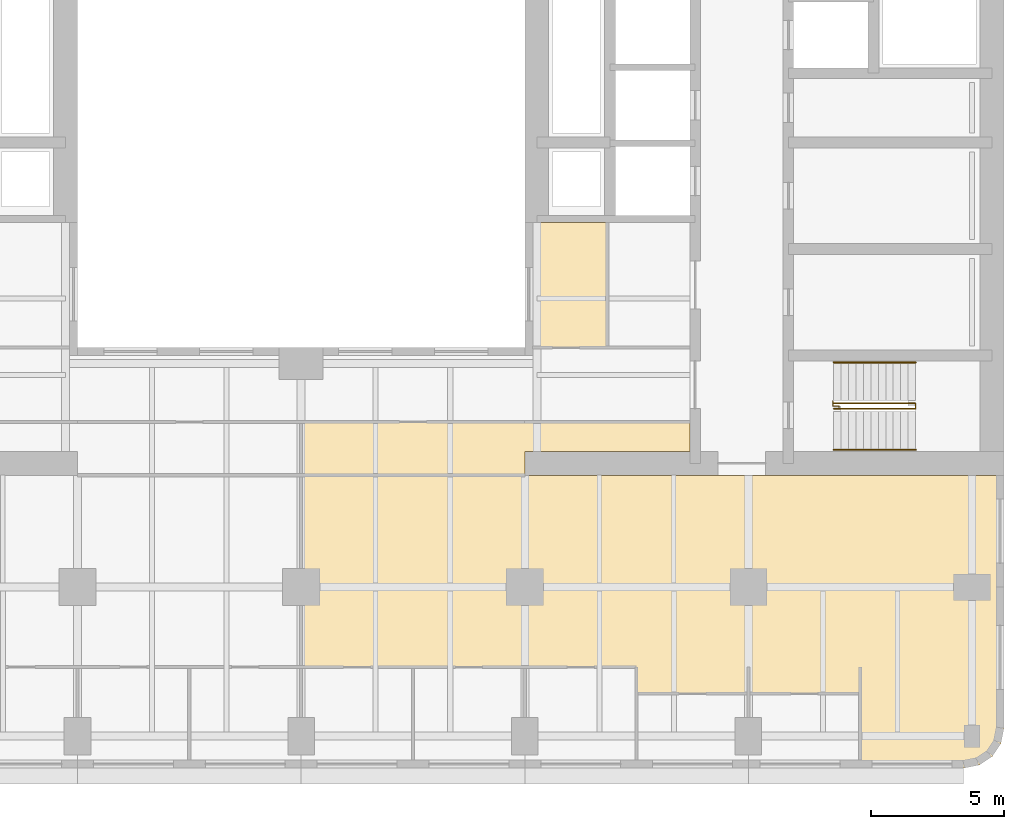
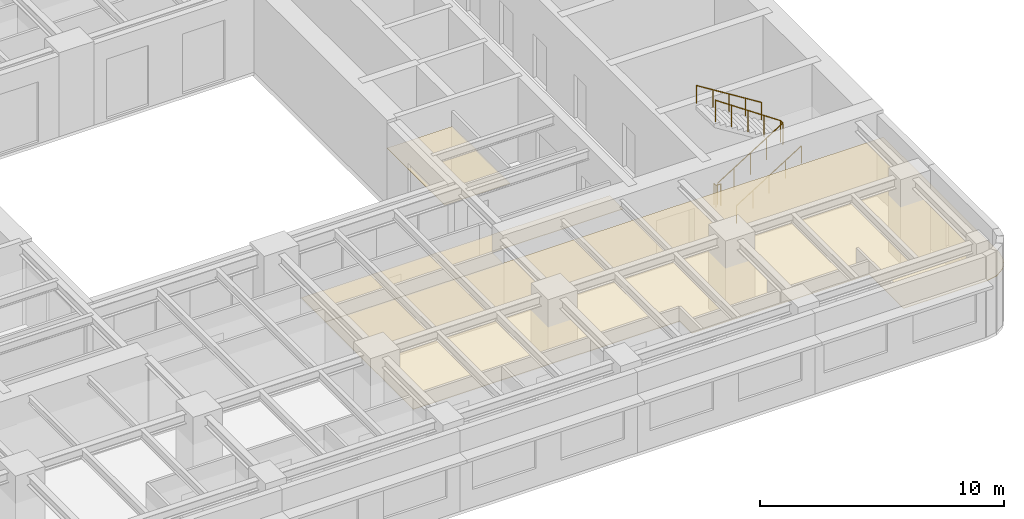
# One storey, part 10 of 11: 4 railings, 3 coverings.
"""IFC4 building model written with IfcOpenShell, lengths in metres."""

from ifc_helpers import new_model, si_unit, direction, frame, origin, origin_2d, place, context, subcontext, project, spatial, polyline, circle, outline, extrude, material, layer, layer_set, type_object, element, save


model = new_model("IFC4")

# Units and contexts
model_context = context("Model", 3, precision=1e-05, world=origin(), true_north=direction((0.0, 1.0)))
body_context = subcontext(model_context, "Body", "Model", "MODEL_VIEW")
ifc_project = project(units=[si_unit("LENGTHUNIT", "METRE"), si_unit("AREAUNIT", "SQUARE_METRE"), si_unit("VOLUMEUNIT", "CUBIC_METRE"), si_unit("PLANEANGLEUNIT", "RADIAN"), si_unit("MASSUNIT", "GRAM", prefix="KILO")], contexts=[model_context])

# Site, building, storey
site_placement = place(None, origin())
site = spatial("IfcSite", under=ifc_project, at=site_placement, CompositionType="ELEMENT")
building_placement = place(site_placement, origin())
building = spatial("IfcBuilding", under=site, at=building_placement, Name="Claustro Exchange Tower", CompositionType="ELEMENT")
storey_placement = place(building_placement, frame((0.0, 0.0, 138.60009765625)))
storey = spatial("IfcBuildingStorey", under=building, at=storey_placement, Name="L31", CompositionType="ELEMENT", Elevation=138.60009765625)

# Coverings
ifc_material_1 = material(Name="Gypsum board ceiling", Category="gypsum board")
ifc_layer = layer(ifc_material_1, 0.02490234375)
ifc_layer_set = layer_set([ifc_layer], Name="Gypsum board ceiling")
covering_type = type_object("IfcCoveringType", Name="CL2 plasterboard ceiling", PredefinedType="CEILING", material=ifc_layer_set)
covering_1_placement = place(storey_placement, frame((0.0, 0.0, 2.7998046875)))
element("IfcCovering", 1, at=covering_1_placement, inside=storey, type_object=covering_type, Name="Ceiling CL2 L31-10", PredefinedType="CEILING", context=body_context, shape_type="SweptSolid", body=[
    extrude(outline(polyline([(51.60009765625, 12.60009765625), (39.800048828125, 12.60009765625), (25.199951171875, 12.60009765625), (25.199951171875, 5.39990234375), (29.39990234375, 5.39990234375), (33.60009765625, 5.39990234375), (37.800048828125, 5.39990234375), (37.800048828125, 4.39990234375), (42.0, 4.39990234375), (46.199951171875, 4.39990234375), (46.199951171875, 1.60009765625), (50.10009765625, 1.60009765625), (50.674072265625, 1.714111328125), (51.16064453125, 2.039306640625), (51.48583984375, 2.52587890625), (51.60009765625, 3.10009765625), (51.60009765625, 12.60009765625)])), origin(), (0.0, 0.0, 1.0), 0.025146484375),
])
covering_2_placement = place(storey_placement, frame((0.0, 0.0, 2.7998046875)))
element("IfcCovering", 2, at=covering_2_placement, inside=storey, type_object=covering_type, Name="Ceiling CL2 L31-12", PredefinedType="CEILING", context=body_context, shape_type="SweptSolid", body=[
    extrude(outline(polyline([(39.800048828125, 13.5), (39.800048828125, 14.60009765625), (33.60009765625, 14.60009765625), (33.60009765625, 14.60009765625), (25.199951171875, 14.60009765625), (25.199951171875, 12.60009765625), (33.60009765625, 12.60009765625), (33.60009765625, 13.5), (39.800048828125, 13.5)])), origin(), (0.0, 0.0, 1.0), 0.025146484375),
])
covering_3_placement = place(storey_placement, frame((0.0, 0.0, 2.7998046875)))
element("IfcCovering", 3, at=covering_3_placement, inside=storey, type_object=covering_type, Name="Ceiling CL2 L31-15", PredefinedType="CEILING", context=body_context, shape_type="SweptSolid", body=[
    extrude(outline(polyline([(36.699951171875, 17.39990234375), (36.699951171875, 22.10009765625), (33.60009765625, 22.10009765625), (33.60009765625, 17.39990234375), (36.699951171875, 17.39990234375)])), origin(), (0.0, 0.0, 1.0), 0.025146484375),
])

# Railings
ifc_material_2 = material(Name="Steel balustrade, painted", Category="steel")
railing_type_1 = type_object("IfcRailingType", Name="GR2 1100 steel stair guard", PredefinedType="GUARDRAIL", material=ifc_material_2)
railing_1_placement = place(storey_placement, frame((45.199951171875, 15.10009765625, 0.1748046875)))
element("IfcRailing", 4, at=railing_1_placement, inside=storey, type_object=railing_type_1, Name="Stair well guard GR2 stair STEA L31", PredefinedType="GUARDRAIL", context=body_context, shape_type="SweptSolid", body=[
    extrude(circle(Radius=0.02392578125, at=origin_2d()), frame((0.0, 0.0, 1.076171875), z_axis=(0.847998304005, 0.0, 0.529998940003), x_axis=(0.0, 1.0, 0.0)), (0.0, 0.0, 1.0), 3.632080078125),
    extrude(circle(Radius=0.02392578125, at=origin_2d()), frame((3.080078125, 0.0, 3.0009765625), z_axis=(0.0, 1.0, 0.0), x_axis=(-1.0, 0.0, 0.0)), (0.0, 0.0, 1.0), 0.199951171875),
    extrude(circle(Radius=0.02392578125, at=origin_2d()), frame((3.080078125, 0.199951171875, 3.0009765625), z_axis=(-0.826221800596, 0.0, 0.563344953133), x_axis=(0.0, -1.0, 0.0)), (0.0, 0.0, 1.0), 3.72802734375),
    extrude(circle(Radius=0.02099609375, at=origin_2d()), origin(), (0.0, 0.0, 1.0), 1.052001953125),
    extrude(circle(Radius=0.02099609375, at=origin_2d()), frame((0.77001953125, 0.0, 0.481201171875)), (0.0, 0.0, 1.0), 1.052001953125),
    extrude(circle(Radius=0.02099609375, at=origin_2d()), frame((1.5400390625, 0.0, 0.96240234375)), (0.0, 0.0, 1.0), 1.052001953125),
    extrude(circle(Radius=0.02099609375, at=origin_2d()), frame((2.31005859375, 0.0, 1.44384765625)), (0.0, 0.0, 1.0), 1.052001953125),
    extrude(circle(Radius=0.02099609375, at=origin_2d()), frame((3.080078125, 0.0, 1.925048828125)), (0.0, 0.0, 1.0), 1.052001953125),
    extrude(circle(Radius=0.02099609375, at=origin_2d()), frame((3.080078125, 0.199951171875, 1.925048828125)), (0.0, 0.0, 1.0), 1.052001953125),
    extrude(circle(Radius=0.02099609375, at=origin_2d()), frame((2.31005859375, 0.199951171875, 2.4501953125)), (0.0, 0.0, 1.0), 1.052001953125),
    extrude(circle(Radius=0.02099609375, at=origin_2d()), frame((1.5400390625, 0.199951171875, 2.97509765625)), (0.0, 0.0, 1.0), 1.052001953125),
    extrude(circle(Radius=0.02099609375, at=origin_2d()), frame((0.77001953125, 0.199951171875, 3.5)), (0.0, 0.0, 1.0), 1.052001953125),
    extrude(circle(Radius=0.02099609375, at=origin_2d()), frame((0.0, 0.199951171875, 4.025146484375)), (0.0, 0.0, 1.0), 1.052001953125),
])
railing_2_placement = place(storey_placement, frame((45.39990234375, 15.169921875, 0.0)))
element("IfcRailing", 5, at=railing_2_placement, inside=storey, type_object=railing_type_1, Name="Stair guard GR2 STEA L31", PredefinedType="GUARDRAIL", context=body_context, shape_type="SweptSolid", body=[
    extrude(circle(Radius=0.02392578125, at=origin_2d()), frame((0.0, 0.0, 1.076171875), z_axis=(0.0, 1.0, 0.0), x_axis=(-1.0, 0.0, 0.0)), (0.0, 0.0, 1.0), 0.030029296875),
    extrude(circle(Radius=0.02392578125, at=origin_2d()), frame((0.0, 0.030029296875, 1.076171875), z_axis=(-1.0, 0.0, 0.0), x_axis=(0.0, -1.0, 0.0)), (0.0, 0.0, 1.0), 0.224853515625),
    extrude(circle(Radius=0.02392578125, at=origin_2d()), frame((-0.224853515625, 0.030029296875, 1.076171875), z_axis=(0.0, 1.0, 0.0), x_axis=(-1.0, 0.0, 0.0)), (0.0, 0.0, 1.0), 0.179931640625),
    extrude(circle(Radius=0.02099609375, at=origin_2d()), origin(), (0.0, 0.0, 1.0), 1.052001953125),
    extrude(circle(Radius=0.02099609375, at=origin_2d()), frame((0.0, 0.030029296875, 0.0)), (0.0, 0.0, 1.0), 1.052001953125),
    extrude(circle(Radius=0.02099609375, at=origin_2d()), frame((-0.224853515625, 0.030029296875, 0.0)), (0.0, 0.0, 1.0), 1.052001953125),
    extrude(circle(Radius=0.02099609375, at=origin_2d()), frame((-0.224853515625, 0.2099609375, 0.0)), (0.0, 0.0, 1.0), 1.052001953125),
])
ifc_material_3 = material(Name="Stainless steel tube", Category="steel")
railing_type_2 = type_object("IfcRailingType", Name="HR1 900 stair handrail", PredefinedType="HANDRAIL", material=ifc_material_3)
railing_3_placement = place(storey_placement, frame((45.199951171875, 13.56005859375, 0.1748046875)))
element("IfcRailing", 6, at=railing_3_placement, inside=storey, type_object=railing_type_2, Name="Handrail HR1 stair STEA L31", PredefinedType="HANDRAIL", context=body_context, shape_type="SweptSolid", body=[
    extrude(circle(Radius=0.02392578125, at=origin_2d()), frame((0.0, 0.0, 0.8759765625), z_axis=(0.847998304005, 0.0, 0.529998940003), x_axis=(0.0, 1.0, 0.0)), (0.0, 0.0, 1.0), 3.632080078125),
    extrude(circle(Radius=0.02099609375, at=origin_2d()), origin(), (0.0, 0.0, 1.0), 0.851806640625),
    extrude(circle(Radius=0.02099609375, at=origin_2d()), frame((0.77001953125, 0.0, 0.481201171875)), (0.0, 0.0, 1.0), 0.851806640625),
    extrude(circle(Radius=0.02099609375, at=origin_2d()), frame((1.5400390625, 0.0, 0.96240234375)), (0.0, 0.0, 1.0), 0.851806640625),
    extrude(circle(Radius=0.02099609375, at=origin_2d()), frame((2.31005859375, 0.0, 1.44384765625)), (0.0, 0.0, 1.0), 0.851806640625),
    extrude(circle(Radius=0.02099609375, at=origin_2d()), frame((3.080078125, 0.0, 1.925048828125)), (0.0, 0.0, 1.0), 0.851806640625),
])
railing_4_placement = place(storey_placement, frame((48.280029296875, 16.840087890625, 2.27490234375)))
element("IfcRailing", 7, at=railing_4_placement, inside=storey, type_object=railing_type_2, Name="Handrail HR1 stair STEA L31", PredefinedType="HANDRAIL", context=body_context, shape_type="SweptSolid", body=[
    extrude(circle(Radius=0.02392578125, at=origin_2d()), frame((0.0, 0.0, 0.8759765625), z_axis=(-0.847998304005, 0.0, 0.529998940003), x_axis=(0.0, -1.0, 0.0)), (0.0, 0.0, 1.0), 3.632080078125),
    extrude(circle(Radius=0.02099609375, at=origin_2d()), origin(), (0.0, 0.0, 1.0), 0.851806640625),
    extrude(circle(Radius=0.02099609375, at=origin_2d()), frame((-0.77001953125, 0.0, 0.481201171875)), (0.0, 0.0, 1.0), 0.851806640625),
    extrude(circle(Radius=0.02099609375, at=origin_2d()), frame((-1.5400390625, 0.0, 0.96240234375)), (0.0, 0.0, 1.0), 0.851806640625),
    extrude(circle(Radius=0.02099609375, at=origin_2d()), frame((-2.31005859375, 0.0, 1.44384765625)), (0.0, 0.0, 1.0), 0.851806640625),
    extrude(circle(Radius=0.02099609375, at=origin_2d()), frame((-3.080078125, 0.0, 1.925048828125)), (0.0, 0.0, 1.0), 0.851806640625),
])

save(model, "model.ifc")
